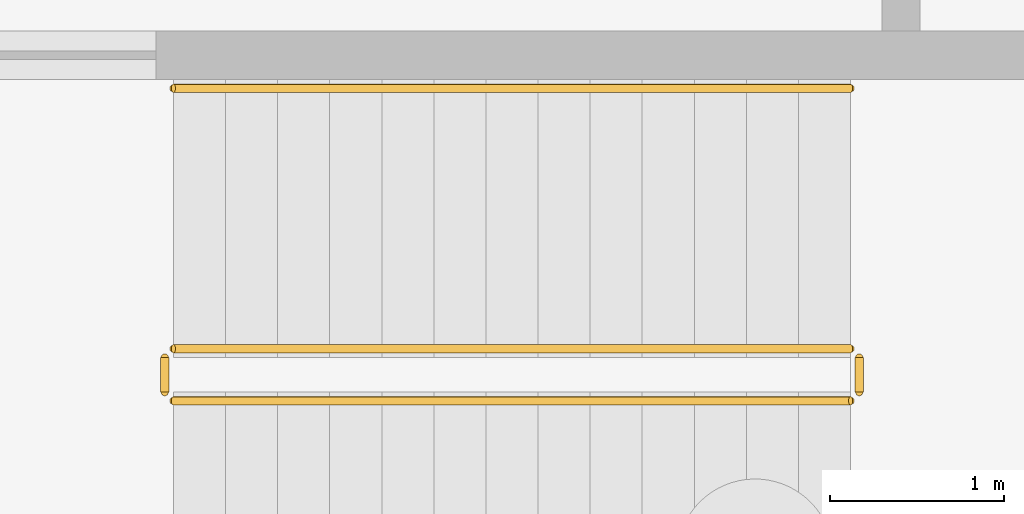
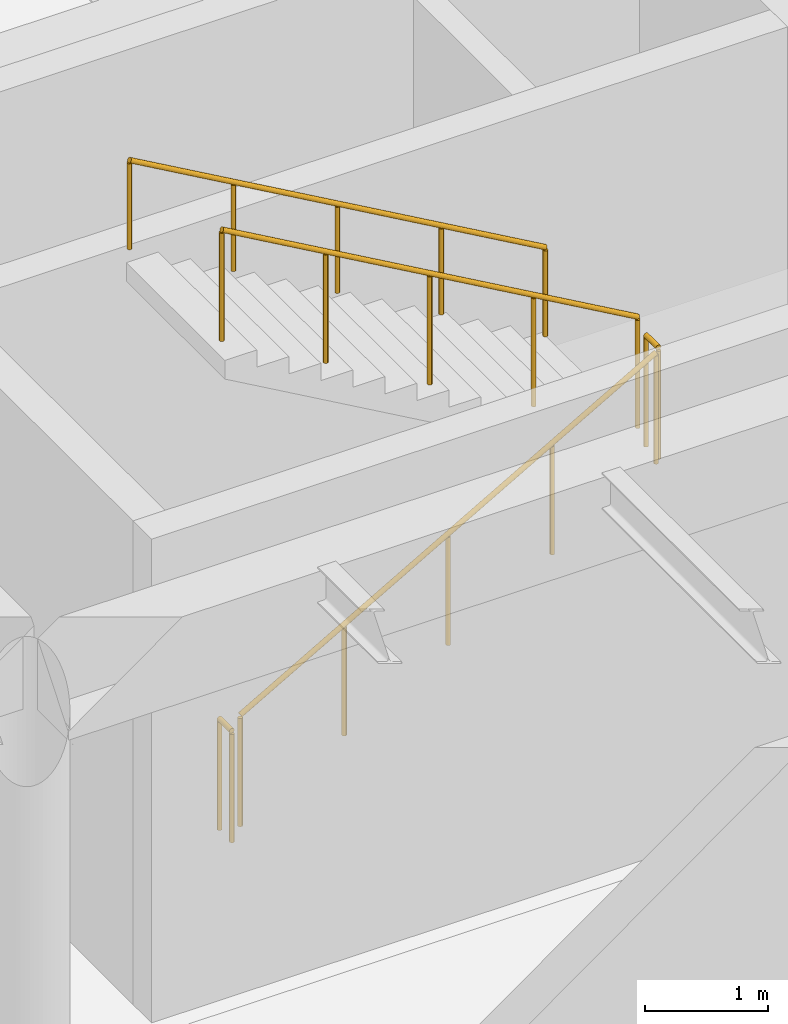
# One storey, part 35 of 40: 5 railings.
"""IFC4 building model written with IfcOpenShell, lengths in metres."""

import ifcopenshell
import ifcopenshell.guid

model = None  # the IFC model being written
_history = None  # IfcOwnerHistory: only IFC2X3 demands one
_inside = {}  # id of a spatial element -> (the spatial element, [elements in it])
_under = {}  # id of a project, library or spatial element -> (it, [spatial elements below it])
_declared = {}  # id of a project -> (the project, [libraries it declares])
_typed = {}  # id of a type object -> (the type object, [elements of that type])
_made_of = {}  # id of a material, layer set ... -> (it, [elements and type objects made of it])


def new_model(schema):
    """Start an empty IFC model of exactly this schema.

    Asked for "IFC4X3", IfcOpenShell would pick the latest addendum, in which some entities
    have other attributes; the version numbers below select the first issue.
    IFC2X3 requires an IfcOwnerHistory on every rooted entity: one is made here for all.
    """
    global model, _history
    if schema == "IFC4X3":
        model = ifcopenshell.file(schema_version=(4, 3, 0, 0))
    else:
        model = ifcopenshell.file(schema=schema)
    _inside.clear()
    _under.clear()
    _declared.clear()
    _typed.clear()
    _made_of.clear()
    _history = None
    if model.schema == "IFC2X3":
        org = make("IfcOrganization", Name="unknown")
        user = make(
            "IfcPersonAndOrganization",
            ThePerson=make("IfcPerson", FamilyName="unknown"),
            TheOrganization=org,
        )
        app = make(
            "IfcApplication",
            ApplicationDeveloper=org,
            Version="unknown",
            ApplicationFullName="unknown",
            ApplicationIdentifier="unknown",
        )
        _history = make(
            "IfcOwnerHistory",
            OwningUser=user,
            OwningApplication=app,
            ChangeAction="ADDED",
            CreationDate=0,
        )
    return model


def make(cls, **values):
    """One entity of the class cls with the attributes given. An attribute that is None is left unset."""
    return model.create_entity(
        cls, **{name: value for name, value in values.items() if value is not None}
    )


def rooted(cls, **values):
    """An entity with a GlobalId (a new one), such as an element, a storey or a relation."""
    return make(cls, GlobalId=ifcopenshell.guid.new(), OwnerHistory=_history, **values)


def si_unit(unit_type, name, prefix=None):
    """IfcSIUnit, for example si_unit("LENGTHUNIT", "METRE", prefix="MILLI")."""
    return make("IfcSIUnit", UnitType=unit_type, Prefix=prefix, Name=name)


def assignment(units):
    """IfcUnitAssignment: the units of a project."""
    return None if units is None else make("IfcUnitAssignment", Units=units)


def point(xyz):
    """IfcCartesianPoint."""
    return None if xyz is None else make("IfcCartesianPoint", Coordinates=xyz)


def direction(xyz):
    """IfcDirection."""
    return None if xyz is None else make("IfcDirection", DirectionRatios=xyz)


def frame(location, z_axis=None, x_axis=None):
    """IfcAxis2Placement3D, a coordinate frame: its origin and axes. An axis left out is left unset."""
    return make(
        "IfcAxis2Placement3D",
        Location=point(location),
        Axis=direction(z_axis),
        RefDirection=direction(x_axis),
    )


def frame_2d(location, x_axis=None):
    """IfcAxis2Placement2D, a coordinate frame in the plane: its origin and x axis."""
    return make(
        "IfcAxis2Placement2D", Location=point(location), RefDirection=direction(x_axis)
    )


def origin():
    """The frame at (0, 0, 0) with its axes left unset."""
    return frame((0.0, 0.0, 0.0))


def origin_2d():
    """The frame at (0, 0) in the plane with its x axis left unset."""
    return frame_2d((0.0, 0.0))


def place(relative_to, where):
    """IfcLocalPlacement: puts the frame where relative to a parent placement (None: the world)."""
    return make(
        "IfcLocalPlacement", PlacementRelTo=relative_to, RelativePlacement=where
    )


def context(
    kind, dimensions, precision=None, world=None, true_north=None, identifier=None
):
    """IfcGeometricRepresentationContext, for example the 3D "Model" context."""
    return make(
        "IfcGeometricRepresentationContext",
        ContextIdentifier=identifier,
        ContextType=kind,
        CoordinateSpaceDimension=dimensions,
        Precision=precision,
        WorldCoordinateSystem=world,
        TrueNorth=true_north,
    )


def subcontext(parent, identifier, kind, view, scale=None):
    """IfcGeometricRepresentationSubContext, for example "Body" below "Model"."""
    return make(
        "IfcGeometricRepresentationSubContext",
        ContextIdentifier=identifier,
        ContextType=kind,
        ParentContext=parent,
        TargetScale=scale,
        TargetView=view,
    )


def project(units=None, contexts=None):
    """IfcProject with its units and contexts."""
    return rooted(
        "IfcProject",
        Name="project",
        RepresentationContexts=contexts,
        UnitsInContext=assignment(units),
    )


def spatial(cls, under=None, at=None, **own):
    """A site, building, storey or space (cls), placed at a placement, below another one or the project."""
    s = rooted(cls, ObjectPlacement=at, **own)
    if under is not None:
        _under.setdefault(under.id(), (under, []))[1].append(s)
    return s


def profile(cls, at=None, kind="AREA", **sizes):
    """A parametric profile (cls). Its sizes go by their IFC names, for example OverallWidth=200.0."""
    return make(cls, ProfileType=kind, Position=at, **sizes)


def circle(**sizes):
    """IfcCircleProfileDef."""
    return profile("IfcCircleProfileDef", **sizes)


def extrude(swept, where, along, depth):
    """IfcExtrudedAreaSolid: the profile swept, set in the frame where, extruded along a direction by depth."""
    return make(
        "IfcExtrudedAreaSolid",
        SweptArea=swept,
        Position=where,
        ExtrudedDirection=direction(along),
        Depth=depth,
    )


def shape(context_of_items, identifier, shape_type, items):
    """IfcShapeRepresentation: the items that make up one representation, for example the "Body"."""
    return make(
        "IfcShapeRepresentation",
        ContextOfItems=context_of_items,
        RepresentationIdentifier=identifier,
        RepresentationType=shape_type,
        Items=items,
    )


def material(Name=None, Category=None):
    """IfcMaterial."""
    return make("IfcMaterial", Name=Name, Category=Category)


def made_of(thing, what):
    """Note that an element or type object is made of a material, layer set ...; save() writes the relation."""
    if what is not None:
        _made_of.setdefault(what.id(), (what, []))[1].append(thing)
    return thing


def type_object(cls, material=None, **own):
    """A type object (cls), such as IfcWallType, which elements share."""
    return made_of(rooted(cls, **own), material)


def element(
    cls,
    number,
    at=None,
    inside=None,
    cuts=None,
    type_object=None,
    material=None,
    context=None,
    identifier="Body",
    shape_type=None,
    held_by="IfcProductDefinitionShape",
    body=None,
    shapes=None,
    **own,
):
    """One element of the class cls, such as IfcWall. Its Tag is "e" and its number.

    at: its placement. inside: the storey or other place that contains it. cuts: it is an
    opening in that element (IfcRelVoidsElement). A single representation is given by context,
    identifier, shape_type and body (its items); several are given by shapes. held_by: the class
    of the entity that holds the representations. save() writes the other relations.
    """
    e = rooted(cls, Tag="e%d" % number, ObjectPlacement=at, **own)
    if body is not None:
        shapes = [shape(context, identifier, shape_type, body)]
    if shapes is not None:
        e.Representation = make(held_by, Representations=shapes)
    if inside is not None:
        _inside.setdefault(inside.id(), (inside, []))[1].append(e)
    if cuts is not None:
        rooted(
            "IfcRelVoidsElement", RelatingBuildingElement=cuts, RelatedOpeningElement=e
        )
    if type_object is not None:
        _typed.setdefault(type_object.id(), (type_object, []))[1].append(e)
    return made_of(e, material)


def aggregate(whole, parts):
    """IfcRelAggregates: a whole, such as a stair, and the parts it consists of."""
    return rooted("IfcRelAggregates", RelatingObject=whole, RelatedObjects=parts)


def save(model, path):
    """Write the relations noted so far, then the file.

    IfcRelAggregates (storeys below a building ...), IfcRelContainedInSpatialStructure (elements
    in a storey), IfcRelDefinesByType, IfcRelAssociatesMaterial and IfcRelDeclares: one each for
    every whole, place, type object, material and project.
    """
    for whole, parts in _under.values():
        aggregate(whole, parts)
    for where, things in _inside.values():
        rooted(
            "IfcRelContainedInSpatialStructure",
            RelatedElements=things,
            RelatingStructure=where,
        )
    for kind, things in _typed.values():
        rooted("IfcRelDefinesByType", RelatedObjects=things, RelatingType=kind)
    for what, things in _made_of.values():
        rooted("IfcRelAssociatesMaterial", RelatedObjects=things, RelatingMaterial=what)
    for by, libraries in _declared.values():
        rooted("IfcRelDeclares", RelatingContext=by, RelatedDefinitions=libraries)
    model.write(path)


model = new_model("IFC4")

# Units and contexts
model_context = context("Model", 3, precision=1e-05, world=origin(), true_north=direction((0.0, 1.0)))
body_context = subcontext(model_context, "Body", "Model", "MODEL_VIEW")
ifc_project = project(units=[si_unit("LENGTHUNIT", "METRE"), si_unit("AREAUNIT", "SQUARE_METRE"), si_unit("VOLUMEUNIT", "CUBIC_METRE"), si_unit("PLANEANGLEUNIT", "RADIAN"), si_unit("MASSUNIT", "GRAM", prefix="KILO")], contexts=[model_context])

# Site, building, storey
site_placement = place(None, origin())
site = spatial("IfcSite", under=ifc_project, at=site_placement, CompositionType="ELEMENT")
building_placement = place(site_placement, origin())
building = spatial("IfcBuilding", under=site, at=building_placement, Name="Valkorina Park Police Headquarters", CompositionType="ELEMENT")
storey_placement = place(building_placement, frame((0.0, 0.0, -4.800048828125)))
storey = spatial("IfcBuildingStorey", under=building, at=storey_placement, Name="B01", CompositionType="ELEMENT", Elevation=-4.800048828125)

# Railings
ifc_material = material(Name="Stainless steel EN 1.4404", Category="steel")
railing_type_1 = type_object("IfcRailingType", Name="RL-GUARD-INT-1100", PredefinedType="BALUSTRADE", material=ifc_material)
railing_1_placement = place(storey_placement, frame((84.10009765625, 68.85009765625, 0.17138671875)))
element("IfcRailing", 1, at=railing_1_placement, inside=storey, type_object=railing_type_1, Name="B01 Core C6 Stair Guard 1", PredefinedType="BALUSTRADE", context=body_context, shape_type="SweptSolid", body=[
    extrude(circle(Radius=0.02392578125, at=origin_2d()), frame((0.0, 0.0, 1.09619140625), z_axis=(0.868219727965, 0.0, 0.496179910892), x_axis=(0.0, 1.0, 0.0)), (0.0, 0.0, 1.0), 4.491943359375),
    extrude(circle(Radius=0.02099609375, at=origin_2d()), origin(), (0.0, 0.0, 1.0), 1.072021484375),
    extrude(circle(Radius=0.02099609375, at=origin_2d()), frame((0.97509765625, 0.0, 0.55712890625)), (0.0, 0.0, 1.0), 1.072021484375),
    extrude(circle(Radius=0.02099609375, at=origin_2d()), frame((1.949951171875, 0.0, 1.1142578125)), (0.0, 0.0, 1.0), 1.072021484375),
    extrude(circle(Radius=0.02099609375, at=origin_2d()), frame((2.9248046875, 0.0, 1.671630859375)), (0.0, 0.0, 1.0), 1.072021484375),
    extrude(circle(Radius=0.02099609375, at=origin_2d()), frame((3.89990234375, 0.0, 2.228759765625)), (0.0, 0.0, 1.0), 1.072021484375),
])
railing_2_placement = place(storey_placement, frame((88.050048828125, 68.89990234375, 2.400146484375)))
element("IfcRailing", 2, at=railing_2_placement, inside=storey, type_object=railing_type_1, Name="B01 Core C6 Stair Guard 2", PredefinedType="BALUSTRADE", context=body_context, shape_type="SweptSolid", body=[
    extrude(circle(Radius=0.02392578125, at=origin_2d()), frame((0.0, 0.0, 1.09619140625), z_axis=(0.0, 1.0, 0.0), x_axis=(-1.0, 0.0, 0.0)), (0.0, 0.0, 1.0), 0.2001953125),
    extrude(circle(Radius=0.02099609375, at=origin_2d()), origin(), (0.0, 0.0, 1.0), 1.072021484375),
    extrude(circle(Radius=0.02099609375, at=origin_2d()), frame((0.0, 0.2001953125, 0.0)), (0.0, 0.0, 1.0), 1.072021484375),
])
railing_3_placement = place(storey_placement, frame((88.0, 69.14990234375, 2.571533203125)))
element("IfcRailing", 3, at=railing_3_placement, inside=storey, type_object=railing_type_1, Name="B01 Core C6 Stair Guard 3", PredefinedType="BALUSTRADE", context=body_context, shape_type="SweptSolid", body=[
    extrude(circle(Radius=0.02392578125, at=origin_2d()), frame((0.0, 0.0, 1.09619140625), z_axis=(-0.868243142124, 0.0, 0.496138938357), x_axis=(0.0, -1.0, 0.0)), (0.0, 0.0, 1.0), 4.49169921875),
    extrude(circle(Radius=0.02099609375, at=origin_2d()), origin(), (0.0, 0.0, 1.0), 1.072021484375),
    extrude(circle(Radius=0.02099609375, at=origin_2d()), frame((-0.97509765625, 0.0, 0.55712890625)), (0.0, 0.0, 1.0), 1.072021484375),
    extrude(circle(Radius=0.02099609375, at=origin_2d()), frame((-1.949951171875, 0.0, 1.1142578125)), (0.0, 0.0, 1.0), 1.072021484375),
    extrude(circle(Radius=0.02099609375, at=origin_2d()), frame((-2.9248046875, 0.0, 1.67138671875)), (0.0, 0.0, 1.0), 1.072021484375),
    extrude(circle(Radius=0.02099609375, at=origin_2d()), frame((-3.89990234375, 0.0, 2.228515625)), (0.0, 0.0, 1.0), 1.072021484375),
])
railing_4_placement = place(storey_placement, frame((84.050048828125, 68.89990234375, 0.0)))
element("IfcRailing", 4, at=railing_4_placement, inside=storey, type_object=railing_type_1, Name="B01 Core C6 Stair Guard 4", PredefinedType="BALUSTRADE", context=body_context, shape_type="SweptSolid", body=[
    extrude(circle(Radius=0.02392578125, at=origin_2d()), frame((0.0, 0.0, 1.09619140625), z_axis=(0.0, 1.0, 0.0), x_axis=(-1.0, 0.0, 0.0)), (0.0, 0.0, 1.0), 0.2001953125),
    extrude(circle(Radius=0.02099609375, at=origin_2d()), origin(), (0.0, 0.0, 1.0), 1.072021484375),
    extrude(circle(Radius=0.02099609375, at=origin_2d()), frame((0.0, 0.2001953125, 0.0)), (0.0, 0.0, 1.0), 1.072021484375),
])
railing_type_2 = type_object("IfcRailingType", Name="RL-HANDRAIL-900", PredefinedType="HANDRAIL", material=ifc_material)
railing_5_placement = place(storey_placement, frame((88.0, 70.64990234375, 2.571533203125)))
element("IfcRailing", 5, at=railing_5_placement, inside=storey, type_object=railing_type_2, Name="B01 Core C6 Stair Handrail 2", PredefinedType="HANDRAIL", context=body_context, shape_type="SweptSolid", body=[
    extrude(circle(Radius=0.02392578125, at=origin_2d()), frame((0.0, 0.0, 0.8759765625), z_axis=(-0.868243142124, 0.0, 0.496138938357), x_axis=(0.0, -1.0, 0.0)), (0.0, 0.0, 1.0), 4.49169921875),
    extrude(circle(Radius=0.02099609375, at=origin_2d()), origin(), (0.0, 0.0, 1.0), 0.851806640625),
    extrude(circle(Radius=0.02099609375, at=origin_2d()), frame((-0.97509765625, 0.0, 0.55712890625)), (0.0, 0.0, 1.0), 0.851806640625),
    extrude(circle(Radius=0.02099609375, at=origin_2d()), frame((-1.949951171875, 0.0, 1.1142578125)), (0.0, 0.0, 1.0), 0.851806640625),
    extrude(circle(Radius=0.02099609375, at=origin_2d()), frame((-2.9248046875, 0.0, 1.67138671875)), (0.0, 0.0, 1.0), 0.851806640625),
    extrude(circle(Radius=0.02099609375, at=origin_2d()), frame((-3.89990234375, 0.0, 2.228515625)), (0.0, 0.0, 1.0), 0.851806640625),
])

save(model, "model.ifc")
